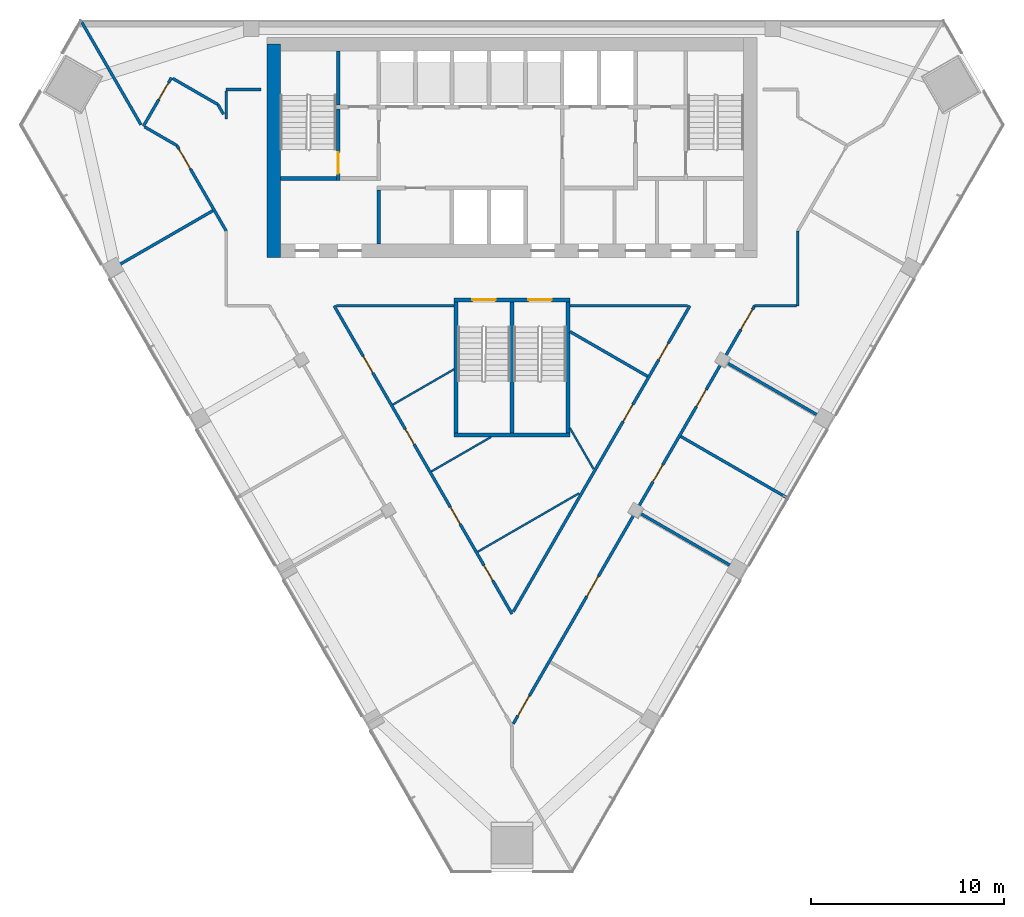
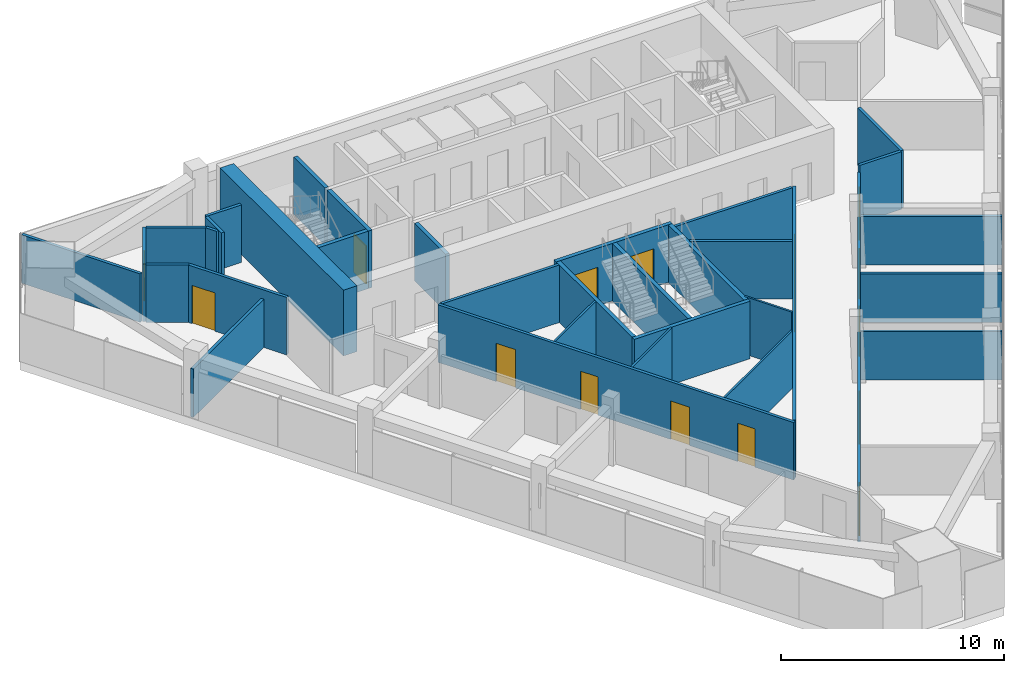
# One storey, part 9 of 13: 34 walls, 16 doors, 16 openings.
"""IFC4 building model written with IfcOpenShell, lengths in metres."""

from ifc_helpers import new_model, si_unit, direction, frame, frame_2d, origin, place, context, subcontext, project, spatial, rectangle, extrude, material, layer, layer_set, type_object, element, fill, save


model = new_model("IFC4")

# Units and contexts
model_context = context("Model", 3, precision=1e-05, world=origin(), true_north=direction((0.0, 1.0)))
body_context = subcontext(model_context, "Body", "Model", "MODEL_VIEW")
ifc_project = project(units=[si_unit("LENGTHUNIT", "METRE"), si_unit("AREAUNIT", "SQUARE_METRE"), si_unit("VOLUMEUNIT", "CUBIC_METRE"), si_unit("PLANEANGLEUNIT", "RADIAN"), si_unit("MASSUNIT", "GRAM", prefix="KILO")], contexts=[model_context])

# Site, building, storey
site_placement = place(None, origin())
site = spatial("IfcSite", under=ifc_project, at=site_placement, CompositionType="ELEMENT")
building_placement = place(site_placement, origin())
building = spatial("IfcBuilding", under=site, at=building_placement, Name="Altiplano Prism Tower", CompositionType="ELEMENT")
storey_placement = place(building_placement, frame((0.0, 0.0, 201.60009765625)))
storey = spatial("IfcBuildingStorey", under=building, at=storey_placement, Name="L52", CompositionType="ELEMENT", Elevation=201.60009765625)

# Walls
ifc_material_1 = material(Name="Concrete C60/75", Category="concrete")
ifc_layer_1 = layer(ifc_material_1, 0.699951171875)
ifc_layer_set_1 = layer_set([ifc_layer_1], Name="Concrete C60/75")
wall_type_1 = type_object("IfcWallType", Name="Core wall 700", PredefinedType="SHEAR", material=ifc_layer_set_1)
wall_1_placement = place(storey_placement, frame((72.64990234375, 103.75, 0.0), z_axis=(0.0, 0.0, 1.0), x_axis=(0.0, -1.0, 0.0)))
element("IfcWall", 1, at=wall_1_placement, inside=storey, type_object=wall_type_1, Name="Core wall W L52", PredefinedType="SHEAR", context=body_context, shape_type="SweptSolid", body=[
    extrude(rectangle(XDim=11.050048828125, YDim=0.699951171875, at=frame_2d((5.52490234375, 0.0))), origin(), (0.0, 0.0, 1.0), 3.599853515625),
])
ifc_material_2 = material(Name="Plasterboard on steel stud", Category="steel")
ifc_layer_2 = layer(ifc_material_2, 0.10009765625)
ifc_layer_set_2 = layer_set([ifc_layer_2], Name="Plasterboard on steel stud")
wall_type_2 = type_object("IfcWallType", Name="Partition 100 wet", PredefinedType="PARTITIONING", material=ifc_layer_set_2)
wall_2_placement = place(storey_placement, frame((80.826171875, 81.620361328125, 0.0), z_axis=(0.0, 0.0, 1.0), x_axis=(0.866026804234, 0.499997574342, 0.0)))
element("IfcWall", 2, at=wall_2_placement, inside=storey, type_object=wall_type_2, Name="Partition P03 L52 022", PredefinedType="PARTITIONING", context=body_context, shape_type="SweptSolid", body=[
    extrude(rectangle(XDim=3.55908203125, YDim=0.10009765625, at=frame_2d((1.779541015625, 0.0))), origin(), (0.0, 0.0, 1.0), 3.14990234375),
])
wall_3_placement = place(storey_placement, frame((82.0, 86.910888671875, 0.0), z_axis=(0.0, 0.0, 1.0), x_axis=(-0.86604792072, -0.499960997496, 0.0)))
element("IfcWall", 3, at=wall_3_placement, inside=storey, type_object=wall_type_2, Name="Partition P03 L52 023", PredefinedType="PARTITIONING", context=body_context, shape_type="SweptSolid", body=[
    extrude(rectangle(XDim=3.661865234375, YDim=0.10009765625, at=frame_2d((1.8310546875, 0.0))), origin(), (0.0, 0.0, 1.0), 3.14990234375),
])
wall_4_placement = place(storey_placement, frame((88.470703125, 80.489013671875, 0.0), z_axis=(0.0, 0.0, 1.0), x_axis=(-0.866031149441, -0.499990048099, 0.0)))
element("IfcWall", 4, at=wall_4_placement, inside=storey, type_object=wall_type_2, Name="Partition P03 L52 024", PredefinedType="PARTITIONING", context=body_context, shape_type="SweptSolid", body=[
    extrude(rectangle(XDim=6.0546875, YDim=0.10009765625, at=frame_2d((3.02734375, 0.0))), origin(), (0.0, 0.0, 1.0), 3.14990234375),
])
wall_5_placement = place(storey_placement, frame((88.0, 83.8671875, 0.0), z_axis=(0.0, 0.0, 1.0), x_axis=(0.500031085528, -0.866007455803, 0.0)))
element("IfcWall", 5, at=wall_5_placement, inside=storey, type_object=wall_type_2, Name="Partition P03 L52 026", PredefinedType="PARTITIONING", context=body_context, shape_type="SweptSolid", body=[
    extrude(rectangle(XDim=2.442138671875, YDim=0.10009765625, at=frame_2d((1.22119140625, 0.0))), origin(), (0.0, 0.0, 1.0), 3.14990234375),
])
ifc_layer_3 = layer(ifc_material_2, 0.14990234375)
ifc_layer_set_3 = layer_set([ifc_layer_3], Name="Plasterboard on steel stud")
wall_type_3 = type_object("IfcWallType", Name="Partition 150 corridor", PredefinedType="PARTITIONING", material=ifc_layer_set_3)
wall_6_placement = place(storey_placement, frame((88.0, 90.198974609375, 0.0), z_axis=(0.0, 0.0, 1.0), x_axis=(1.0, 0.0, 0.0)))
element("IfcWall", 6, at=wall_6_placement, inside=storey, type_object=wall_type_3, Name="Partition P06 L52 001", PredefinedType="PARTITIONING", context=body_context, shape_type="SweptSolid", body=[
    extrude(rectangle(XDim=6.08349609375, YDim=0.14990234375, at=frame_2d((3.041748046875, 0.0))), origin(), (0.0, 0.0, 1.0), 3.14990234375),
])

# Wall, openings, doors
wall_7_placement = place(storey_placement, frame((94.21337890625, 90.198974609375, 0.0), z_axis=(0.0, 0.0, 1.0), x_axis=(-0.500002356557, -0.866024043222, 0.0)))
wall_7 = element("IfcWall", 7, at=wall_7_placement, inside=storey, type_object=wall_type_3, Name="Partition P06 L52 002", PredefinedType="PARTITIONING", context=body_context, shape_type="SweptSolid", body=[
    extrude(rectangle(XDim=18.296875, YDim=0.14990234375, at=frame_2d((9.1484375, 0.0))), origin(), (0.0, 0.0, 1.0), 3.14990234375),
])
opening_1_placement = place(wall_7_placement, frame((2.22900390625, 0.0, 0.0)))
opening_1 = element("IfcOpeningElement", 8, at=opening_1_placement, cuts=wall_7, Name="Opening D1812", PredefinedType="OPENING", context=body_context, shape_type="SweptSolid", body=[
    extrude(rectangle(XDim=1.0, YDim=2.10009765625, at=frame_2d((0.5, 1.050048828125))), frame((0.0, 0.08544921875, 0.0), z_axis=(0.0, -1.0, 0.0), x_axis=(1.0, 0.0, 0.0)), (0.0, 0.0, 1.0), 0.1708984375),
])
opening_2_placement = place(wall_7_placement, frame((5.912109375, 0.0, 0.0)))
opening_2 = element("IfcOpeningElement", 9, at=opening_2_placement, cuts=wall_7, Name="Opening D1813", PredefinedType="OPENING", context=body_context, shape_type="SweptSolid", body=[
    extrude(rectangle(XDim=1.0, YDim=2.10009765625, at=frame_2d((0.5, 1.050048828125))), frame((0.0, 0.08544921875, 0.0), z_axis=(0.0, -1.0, 0.0), x_axis=(1.0, 0.0, 0.0)), (0.0, 0.0, 1.0), 0.1708984375),
])
ifc_material_3 = material(Name="Timber", Category="wood")
door_type_1 = type_object("IfcDoorType", Name="Store door 1000 x 2100", OperationType="NOTDEFINED", PredefinedType="NOTDEFINED", material=ifc_material_3)
door_1_placement = place(opening_1_placement, origin())
door_1 = element("IfcDoor", 10, at=door_1_placement, inside=storey, type_object=door_type_1, Name="Door D1812", OperationType="SINGLE_SWING_RIGHT", OverallHeight=2.10009765625, OverallWidth=1.0, PredefinedType="NOTDEFINED", context=body_context, shape_type="SweptSolid", body=[
    extrude(rectangle(XDim=1.0, YDim=2.10009765625, at=frame_2d((0.5, 1.050048828125))), frame((0.0, 0.02490234375, 0.0), z_axis=(0.0, -1.0, 0.0), x_axis=(1.0, 0.0, 0.0)), (0.0, 0.0, 1.0), 0.050048828125),
])
fill(opening_1, door_1)
door_2_placement = place(opening_2_placement, origin())
door_2 = element("IfcDoor", 11, at=door_2_placement, inside=storey, type_object=door_type_1, Name="Door D1813", OperationType="SINGLE_SWING_RIGHT", OverallHeight=2.10009765625, OverallWidth=1.0, PredefinedType="NOTDEFINED", context=body_context, shape_type="SweptSolid", body=[
    extrude(rectangle(XDim=1.0, YDim=2.10009765625, at=frame_2d((0.5, 1.050048828125))), frame((0.0, 0.02490234375, 0.0), z_axis=(0.0, -1.0, 0.0), x_axis=(1.0, 0.0, 0.0)), (0.0, 0.0, 1.0), 0.050048828125),
])
fill(opening_2, door_2)

# Wall
wall_8_placement = place(storey_placement, frame((65.976318359375, 99.462890625, 0.0), z_axis=(0.0, 0.0, 1.0), x_axis=(0.86605048973, -0.49995654735, 0.0)))
element("IfcWall", 12, at=wall_8_placement, inside=storey, type_object=wall_type_3, Name="Partition P06 L52 003", PredefinedType="PARTITIONING", context=body_context, shape_type="SweptSolid", body=[
    extrude(rectangle(XDim=1.926025390625, YDim=0.14990234375, at=frame_2d((0.962890625, 0.0))), origin(), (0.0, 0.0, 1.0), 3.14990234375),
])

# Wall, opening, door
wall_9_placement = place(storey_placement, frame((67.644287109375, 98.5, 0.0), z_axis=(0.0, 0.0, 1.0), x_axis=(0.499981548585, -0.866036056452, 0.0)))
wall_9 = element("IfcWall", 13, at=wall_9_placement, inside=storey, type_object=wall_type_3, Name="Partition P06 L52 004", PredefinedType="PARTITIONING", context=body_context, shape_type="SweptSolid", body=[
    extrude(rectangle(XDim=5.111572265625, YDim=0.14990234375, at=frame_2d((2.5556640625, 0.0))), origin(), (0.0, 0.0, 1.0), 3.14990234375),
])
opening_3_placement = place(wall_9_placement, frame((0.199951171875, 0.0, 0.0)))
opening_3 = element("IfcOpeningElement", 14, at=opening_3_placement, cuts=wall_9, Name="Opening D1814", PredefinedType="OPENING", context=body_context, shape_type="SweptSolid", body=[
    extrude(rectangle(XDim=1.199951171875, YDim=2.10009765625, at=frame_2d((0.60009765625, 1.050048828125))), frame((0.0, 0.08544921875, 0.0), z_axis=(0.0, -1.0, 0.0), x_axis=(1.0, 0.0, 0.0)), (0.0, 0.0, 1.0), 0.1708984375),
])
door_type_2 = type_object("IfcDoorType", Name="Shared room door 1200 x 2100", OperationType="NOTDEFINED", PredefinedType="NOTDEFINED", material=ifc_material_3)
door_3_placement = place(opening_3_placement, origin())
door_3 = element("IfcDoor", 15, at=door_3_placement, inside=storey, type_object=door_type_2, Name="Door D1814", OperationType="SINGLE_SWING_LEFT", OverallHeight=2.10009765625, OverallWidth=1.199951171875, PredefinedType="NOTDEFINED", context=body_context, shape_type="SweptSolid", body=[
    extrude(rectangle(XDim=1.199951171875, YDim=2.10009765625, at=frame_2d((0.60009765625, 1.050048828125))), frame((0.0, 0.02490234375, 0.0), z_axis=(0.0, -1.0, 0.0), x_axis=(1.0, 0.0, 0.0)), (0.0, 0.0, 1.0), 0.050048828125),
])
fill(opening_3, door_3)

# Wall, openings, doors
wall_10_placement = place(storey_placement, frame((85.06494140625, 68.551513671875, 0.0), z_axis=(0.0, 0.0, 1.0), x_axis=(0.500001442506, 0.866024570952, 0.0)))
wall_10 = element("IfcWall", 16, at=wall_10_placement, inside=storey, type_object=wall_type_3, Name="Partition P06 L52 008", PredefinedType="PARTITIONING", context=body_context, shape_type="SweptSolid", body=[
    extrude(rectangle(XDim=24.99755859375, YDim=0.14990234375, at=frame_2d((12.498779296875, 0.0))), origin(), (0.0, 0.0, 1.0), 2.75),
])
opening_4_placement = place(wall_10_placement, frame((0.47607421875, 0.0, 0.0)))
opening_4 = element("IfcOpeningElement", 17, at=opening_4_placement, cuts=wall_10, Name="Opening D1819", PredefinedType="OPENING", context=body_context, shape_type="SweptSolid", body=[
    extrude(rectangle(XDim=1.199951171875, YDim=2.10009765625, at=frame_2d((0.60009765625, 1.050048828125))), frame((0.0, 0.08544921875, 0.0), z_axis=(0.0, -1.0, 0.0), x_axis=(1.0, 0.0, 0.0)), (0.0, 0.0, 1.0), 0.1708984375),
])
opening_5_placement = place(wall_10_placement, frame((7.6259765625, 0.0, 0.0)))
opening_5 = element("IfcOpeningElement", 18, at=opening_5_placement, cuts=wall_10, Name="Opening D1820", PredefinedType="OPENING", context=body_context, shape_type="SweptSolid", body=[
    extrude(rectangle(XDim=1.199951171875, YDim=2.10009765625, at=frame_2d((0.60009765625, 1.050048828125))), frame((0.0, 0.08544921875, 0.0), z_axis=(0.0, -1.0, 0.0), x_axis=(1.0, 0.0, 0.0)), (0.0, 0.0, 1.0), 0.1708984375),
])
opening_6_placement = place(wall_10_placement, frame((14.47607421875, 0.0, 0.0)))
opening_6 = element("IfcOpeningElement", 19, at=opening_6_placement, cuts=wall_10, Name="Opening D1821", PredefinedType="OPENING", context=body_context, shape_type="SweptSolid", body=[
    extrude(rectangle(XDim=1.0, YDim=2.10009765625, at=frame_2d((0.5, 1.050048828125))), frame((0.0, 0.08544921875, 0.0), z_axis=(0.0, -1.0, 0.0), x_axis=(1.0, 0.0, 0.0)), (0.0, 0.0, 1.0), 0.1708984375),
])
opening_7_placement = place(wall_10_placement, frame((18.97607421875, 0.0, 0.0)))
opening_7 = element("IfcOpeningElement", 20, at=opening_7_placement, cuts=wall_10, Name="Opening D1822", PredefinedType="OPENING", context=body_context, shape_type="SweptSolid", body=[
    extrude(rectangle(XDim=1.0, YDim=2.10009765625, at=frame_2d((0.5, 1.050048828125))), frame((0.0, 0.08544921875, 0.0), z_axis=(0.0, -1.0, 0.0), x_axis=(1.0, 0.0, 0.0)), (0.0, 0.0, 1.0), 0.1708984375),
])
opening_8_placement = place(wall_10_placement, frame((23.574951171875, 0.0, 0.0)))
opening_8 = element("IfcOpeningElement", 21, at=opening_8_placement, cuts=wall_10, Name="Opening D1823", PredefinedType="OPENING", context=body_context, shape_type="SweptSolid", body=[
    extrude(rectangle(XDim=1.199951171875, YDim=2.10009765625, at=frame_2d((0.60009765625, 1.050048828125))), frame((0.0, 0.08544921875, 0.0), z_axis=(0.0, -1.0, 0.0), x_axis=(1.0, 0.0, 0.0)), (0.0, 0.0, 1.0), 0.1708984375),
])
door_type_3 = type_object("IfcDoorType", Name="Room door 1000 x 2100", OperationType="NOTDEFINED", PredefinedType="NOTDEFINED", material=ifc_material_3)
door_4_placement = place(opening_6_placement, origin())
door_4 = element("IfcDoor", 22, at=door_4_placement, inside=storey, type_object=door_type_3, Name="Door D1821", OperationType="SINGLE_SWING_LEFT", OverallHeight=2.10009765625, OverallWidth=1.0, PredefinedType="NOTDEFINED", context=body_context, shape_type="SweptSolid", body=[
    extrude(rectangle(XDim=1.0, YDim=2.10009765625, at=frame_2d((0.5, 1.050048828125))), frame((0.0, 0.02490234375, 0.0), z_axis=(0.0, -1.0, 0.0), x_axis=(1.0, 0.0, 0.0)), (0.0, 0.0, 1.0), 0.050048828125),
])
fill(opening_6, door_4)
door_5_placement = place(opening_7_placement, origin())
door_5 = element("IfcDoor", 23, at=door_5_placement, inside=storey, type_object=door_type_3, Name="Door D1822", OperationType="SINGLE_SWING_RIGHT", OverallHeight=2.10009765625, OverallWidth=1.0, PredefinedType="NOTDEFINED", context=body_context, shape_type="SweptSolid", body=[
    extrude(rectangle(XDim=1.0, YDim=2.10009765625, at=frame_2d((0.5, 1.050048828125))), frame((0.0, 0.02490234375, 0.0), z_axis=(0.0, -1.0, 0.0), x_axis=(1.0, 0.0, 0.0)), (0.0, 0.0, 1.0), 0.050048828125),
])
fill(opening_7, door_5)
door_6_placement = place(opening_4_placement, origin())
door_6 = element("IfcDoor", 24, at=door_6_placement, inside=storey, type_object=door_type_2, Name="Door D1819", OperationType="SINGLE_SWING_RIGHT", OverallHeight=2.10009765625, OverallWidth=1.199951171875, PredefinedType="NOTDEFINED", context=body_context, shape_type="SweptSolid", body=[
    extrude(rectangle(XDim=1.199951171875, YDim=2.10009765625, at=frame_2d((0.60009765625, 1.050048828125))), frame((0.0, 0.02490234375, 0.0), z_axis=(0.0, -1.0, 0.0), x_axis=(1.0, 0.0, 0.0)), (0.0, 0.0, 1.0), 0.050048828125),
])
fill(opening_4, door_6)
door_7_placement = place(opening_5_placement, origin())
door_7 = element("IfcDoor", 25, at=door_7_placement, inside=storey, type_object=door_type_2, Name="Door D1820", OperationType="SINGLE_SWING_RIGHT", OverallHeight=2.10009765625, OverallWidth=1.199951171875, PredefinedType="NOTDEFINED", context=body_context, shape_type="SweptSolid", body=[
    extrude(rectangle(XDim=1.199951171875, YDim=2.10009765625, at=frame_2d((0.60009765625, 1.050048828125))), frame((0.0, 0.02490234375, 0.0), z_axis=(0.0, -1.0, 0.0), x_axis=(1.0, 0.0, 0.0)), (0.0, 0.0, 1.0), 0.050048828125),
])
fill(opening_5, door_7)
door_8_placement = place(opening_8_placement, origin())
door_8 = element("IfcDoor", 26, at=door_8_placement, inside=storey, type_object=door_type_2, Name="Door D1823", OperationType="SINGLE_SWING_RIGHT", OverallHeight=2.10009765625, OverallWidth=1.199951171875, PredefinedType="NOTDEFINED", context=body_context, shape_type="SweptSolid", body=[
    extrude(rectangle(XDim=1.199951171875, YDim=2.10009765625, at=frame_2d((0.60009765625, 1.050048828125))), frame((0.0, 0.02490234375, 0.0), z_axis=(0.0, -1.0, 0.0), x_axis=(1.0, 0.0, 0.0)), (0.0, 0.0, 1.0), 0.050048828125),
])
fill(opening_8, door_8)

# Walls
wall_11_placement = place(storey_placement, frame((97.563720703125, 90.199951171875, 0.0), z_axis=(0.0, 0.0, 1.0), x_axis=(0.999999974476, 0.000225937635, 0.0)))
element("IfcWall", 27, at=wall_11_placement, inside=storey, type_object=wall_type_3, Name="Partition P06 L52 009", PredefinedType="PARTITIONING", context=body_context, shape_type="SweptSolid", body=[
    extrude(rectangle(XDim=2.1611328125, YDim=0.14990234375, at=frame_2d((1.08056640625, 0.0))), origin(), (0.0, 0.0, 1.0), 3.14990234375),
])
wall_12_placement = place(storey_placement, frame((99.7998046875, 90.200439453125, 0.0), z_axis=(0.0, 0.0, 1.0), x_axis=(6.3039778e-05, 0.999999998013, 0.0)))
element("IfcWall", 28, at=wall_12_placement, inside=storey, type_object=wall_type_3, Name="Partition P06 L52 010", PredefinedType="PARTITIONING", context=body_context, shape_type="SweptSolid", body=[
    extrude(rectangle(XDim=3.872802734375, YDim=0.14990234375, at=frame_2d((1.9365234375, 0.0))), origin(), (0.0, 0.0, 1.0), 3.14990234375),
])
wall_13_placement = place(storey_placement, frame((72.0, 101.40087890625, 0.0), z_axis=(0.0, 0.0, 1.0), x_axis=(-1.0, 0.0, 0.0)))
element("IfcWall", 29, at=wall_13_placement, inside=storey, type_object=wall_type_3, Name="Partition P06 L52 015", PredefinedType="PARTITIONING", context=body_context, shape_type="SweptSolid", body=[
    extrude(rectangle(XDim=1.800537109375, YDim=0.14990234375, at=frame_2d((0.900390625, 0.0))), origin(), (0.0, 0.0, 1.0), 3.14990234375),
])
wall_14_placement = place(storey_placement, frame((70.199462890625, 101.32568359375, 0.0), z_axis=(0.0, 0.0, 1.0), x_axis=(-0.000337040763, -0.999999943202, 0.0)))
element("IfcWall", 30, at=wall_14_placement, inside=storey, type_object=wall_type_3, Name="Partition P06 L52 016", PredefinedType="PARTITIONING", context=body_context, shape_type="SweptSolid", body=[
    extrude(rectangle(XDim=1.44873046875, YDim=0.14990234375, at=frame_2d((0.724365234375, 0.0))), origin(), (0.0, 0.0, 1.0), 3.14990234375),
])
wall_15_placement = place(storey_placement, frame((70.05908203125, 100.119384765625, 0.0), z_axis=(0.0, 0.0, 1.0), x_axis=(-0.500061095026, 0.865990127681, 0.0)))
element("IfcWall", 31, at=wall_15_placement, inside=storey, type_object=wall_type_3, Name="Partition P06 L52 017", PredefinedType="PARTITIONING", context=body_context, shape_type="SweptSolid", body=[
    extrude(rectangle(XDim=0.58251953125, YDim=0.14990234375, at=frame_2d((0.291259765625, 0.0))), origin(), (0.0, 0.0, 1.0), 3.14990234375),
])
wall_16_placement = place(storey_placement, frame((69.767822265625, 100.623779296875, 0.0), z_axis=(0.0, 0.0, 1.0), x_axis=(-0.866089324335, 0.499889270012, 0.0)))
element("IfcWall", 32, at=wall_16_placement, inside=storey, type_object=wall_type_3, Name="Partition P06 L52 018", PredefinedType="PARTITIONING", context=body_context, shape_type="SweptSolid", body=[
    extrude(rectangle(XDim=2.70263671875, YDim=0.14990234375, at=frame_2d((1.351318359375, 0.0))), origin(), (0.0, 0.0, 1.0), 3.14990234375),
])

# Wall, opening, door
wall_17_placement = place(storey_placement, frame((67.362060546875, 102.012451171875, 0.0), z_axis=(0.0, 0.0, 1.0), x_axis=(-0.500103712827, -0.865965516875, 0.0)))
wall_17 = element("IfcWall", 33, at=wall_17_placement, inside=storey, type_object=wall_type_3, Name="Partition P06 L52 019", PredefinedType="PARTITIONING", context=body_context, shape_type="SweptSolid", body=[
    extrude(rectangle(XDim=2.90087890625, YDim=0.14990234375, at=frame_2d((1.450439453125, 0.0))), origin(), (0.0, 0.0, 1.0), 3.14990234375),
])
opening_9_placement = place(wall_17_placement, frame((0.304931640625, 0.0, 0.0)))
opening_9 = element("IfcOpeningElement", 34, at=opening_9_placement, cuts=wall_17, Name="Opening D1826", PredefinedType="OPENING", context=body_context, shape_type="SweptSolid", body=[
    extrude(rectangle(XDim=1.0, YDim=2.10009765625, at=frame_2d((0.5, 1.050048828125))), frame((0.0, 0.08544921875, 0.0), z_axis=(0.0, -1.0, 0.0), x_axis=(1.0, 0.0, 0.0)), (0.0, 0.0, 1.0), 0.1708984375),
])
door_9_placement = place(opening_9_placement, origin())
door_9 = element("IfcDoor", 35, at=door_9_placement, inside=storey, type_object=door_type_1, Name="Door D1826", OperationType="SINGLE_SWING_LEFT", OverallHeight=2.10009765625, OverallWidth=1.0, PredefinedType="NOTDEFINED", context=body_context, shape_type="SweptSolid", body=[
    extrude(rectangle(XDim=1.0, YDim=2.10009765625, at=frame_2d((0.5, 1.050048828125))), frame((0.0, 0.02490234375, 0.0), z_axis=(0.0, -1.0, 0.0), x_axis=(1.0, 0.0, 0.0)), (0.0, 0.0, 1.0), 0.050048828125),
])
fill(opening_9, door_9)

# Wall, openings, doors
wall_18_placement = place(storey_placement, frame((85.0, 74.240966796875, 0.0), z_axis=(0.0, 0.0, 1.0), x_axis=(-0.500000765191, 0.866024962, 0.0)))
wall_18 = element("IfcWall", 36, at=wall_18_placement, inside=storey, type_object=wall_type_3, Name="Partition P06 L52 020", PredefinedType="PARTITIONING", context=body_context, shape_type="SweptSolid", body=[
    extrude(rectangle(XDim=18.4267578125, YDim=0.14990234375, at=frame_2d((9.21337890625, 0.0))), origin(), (0.0, 0.0, 1.0), 3.14990234375),
])
opening_10_placement = place(wall_18_placement, frame((10.139892578125, 0.0, 0.0)))
opening_10 = element("IfcOpeningElement", 37, at=opening_10_placement, cuts=wall_18, Name="Opening D1810", PredefinedType="OPENING", context=body_context, shape_type="SweptSolid", body=[
    extrude(rectangle(XDim=0.89990234375, YDim=2.10009765625, at=frame_2d((0.449951171875, 1.050048828125))), frame((0.0, 0.08544921875, 0.0), z_axis=(0.0, -1.0, 0.0), x_axis=(1.0, 0.0, 0.0)), (0.0, 0.0, 1.0), 0.1708984375),
])
opening_11_placement = place(wall_18_placement, frame((2.0, 0.0, 0.0)))
opening_11 = element("IfcOpeningElement", 38, at=opening_11_placement, cuts=wall_18, Name="Opening D1811", PredefinedType="OPENING", context=body_context, shape_type="SweptSolid", body=[
    extrude(rectangle(XDim=0.89990234375, YDim=2.10009765625, at=frame_2d((0.449951171875, 1.050048828125))), frame((0.0, 0.08544921875, 0.0), z_axis=(0.0, -1.0, 0.0), x_axis=(1.0, 0.0, 0.0)), (0.0, 0.0, 1.0), 0.1708984375),
])
opening_12_placement = place(wall_18_placement, frame((5.37890625, 0.0, 0.0)))
opening_12 = element("IfcOpeningElement", 39, at=opening_12_placement, cuts=wall_18, Name="Opening D1827", PredefinedType="OPENING", context=body_context, shape_type="SweptSolid", body=[
    extrude(rectangle(XDim=1.0, YDim=2.10009765625, at=frame_2d((0.5, 1.050048828125))), frame((0.0, 0.08544921875, 0.0), z_axis=(0.0, -1.0, 0.0), x_axis=(1.0, 0.0, 0.0)), (0.0, 0.0, 1.0), 0.1708984375),
])
opening_13_placement = place(wall_18_placement, frame((14.412109375, 0.0, 0.0)))
opening_13 = element("IfcOpeningElement", 40, at=opening_13_placement, cuts=wall_18, Name="Opening D1828", PredefinedType="OPENING", context=body_context, shape_type="SweptSolid", body=[
    extrude(rectangle(XDim=1.0, YDim=2.10009765625, at=frame_2d((0.5, 1.050048828125))), frame((0.0, 0.08544921875, 0.0), z_axis=(0.0, -1.0, 0.0), x_axis=(1.0, 0.0, 0.0)), (0.0, 0.0, 1.0), 0.1708984375),
])
door_10_placement = place(opening_12_placement, origin())
door_10 = element("IfcDoor", 41, at=door_10_placement, inside=storey, type_object=door_type_3, Name="Door D1827", OperationType="SINGLE_SWING_LEFT", OverallHeight=2.10009765625, OverallWidth=1.0, PredefinedType="NOTDEFINED", context=body_context, shape_type="SweptSolid", body=[
    extrude(rectangle(XDim=1.0, YDim=2.10009765625, at=frame_2d((0.5, 1.050048828125))), frame((0.0, 0.02490234375, 0.0), z_axis=(0.0, -1.0, 0.0), x_axis=(1.0, 0.0, 0.0)), (0.0, 0.0, 1.0), 0.050048828125),
])
fill(opening_12, door_10)
door_11_placement = place(opening_13_placement, origin())
door_11 = element("IfcDoor", 42, at=door_11_placement, inside=storey, type_object=door_type_1, Name="Door D1828", OperationType="SINGLE_SWING_RIGHT", OverallHeight=2.10009765625, OverallWidth=1.0, PredefinedType="NOTDEFINED", context=body_context, shape_type="SweptSolid", body=[
    extrude(rectangle(XDim=1.0, YDim=2.10009765625, at=frame_2d((0.5, 1.050048828125))), frame((0.0, 0.02490234375, 0.0), z_axis=(0.0, -1.0, 0.0), x_axis=(1.0, 0.0, 0.0)), (0.0, 0.0, 1.0), 0.050048828125),
])
fill(opening_13, door_11)
door_type_4 = type_object("IfcDoorType", Name="Toilet door 900 x 2100", OperationType="NOTDEFINED", PredefinedType="NOTDEFINED", material=ifc_material_3)
door_12_placement = place(opening_10_placement, origin())
door_12 = element("IfcDoor", 43, at=door_12_placement, inside=storey, type_object=door_type_4, Name="Door D1810", OperationType="SINGLE_SWING_LEFT", OverallHeight=2.10009765625, OverallWidth=0.89990234375, PredefinedType="NOTDEFINED", context=body_context, shape_type="SweptSolid", body=[
    extrude(rectangle(XDim=0.89990234375, YDim=2.10009765625, at=frame_2d((0.449951171875, 1.050048828125))), frame((0.0, 0.02490234375, 0.0), z_axis=(0.0, -1.0, 0.0), x_axis=(1.0, 0.0, 0.0)), (0.0, 0.0, 1.0), 0.050048828125),
])
fill(opening_10, door_12)
door_13_placement = place(opening_11_placement, origin())
door_13 = element("IfcDoor", 44, at=door_13_placement, inside=storey, type_object=door_type_4, Name="Door D1811", OperationType="SINGLE_SWING_LEFT", OverallHeight=2.10009765625, OverallWidth=0.89990234375, PredefinedType="NOTDEFINED", context=body_context, shape_type="SweptSolid", body=[
    extrude(rectangle(XDim=0.89990234375, YDim=2.10009765625, at=frame_2d((0.449951171875, 1.050048828125))), frame((0.0, 0.02490234375, 0.0), z_axis=(0.0, -1.0, 0.0), x_axis=(1.0, 0.0, 0.0)), (0.0, 0.0, 1.0), 0.050048828125),
])
fill(opening_11, door_13)

# Walls
wall_19_placement = place(storey_placement, frame((75.91650390625, 90.198974609375, 0.0), z_axis=(0.0, 0.0, 1.0), x_axis=(1.0, 0.0, 0.0)))
element("IfcWall", 45, at=wall_19_placement, inside=storey, type_object=wall_type_3, Name="Partition P06 L52 021", PredefinedType="PARTITIONING", context=body_context, shape_type="SweptSolid", body=[
    extrude(rectangle(XDim=6.08349609375, YDim=0.14990234375, at=frame_2d((3.041748046875, 0.0))), origin(), (0.0, 0.0, 1.0), 3.14990234375),
])
ifc_layer_4 = layer(ifc_material_2, 0.14990234375)
ifc_layer_set_4 = layer_set([ifc_layer_4], Name="Plasterboard on steel stud")
wall_type_4 = type_object("IfcWallType", Name="Partition 150 party", PredefinedType="PARTITIONING", material=ifc_layer_set_4)
wall_20_placement = place(storey_placement, frame((88.0, 88.864501953125, 0.0), z_axis=(0.0, 0.0, 1.0), x_axis=(0.866019052629, -0.500011000363, 0.0)))
element("IfcWall", 46, at=wall_20_placement, inside=storey, type_object=wall_type_4, Name="Partition P01 L52 025", PredefinedType="PARTITIONING", context=body_context, shape_type="SweptSolid", body=[
    extrude(rectangle(XDim=4.638671875, YDim=0.14990234375, at=frame_2d((2.3193359375, 0.0))), origin(), (0.0, 0.0, 1.0), 3.14990234375),
])
wall_21_placement = place(storey_placement, frame((64.029541015625, 91.9609375, 0.0), z_axis=(0.0, 0.0, 1.0), x_axis=(0.866032601554, 0.49998753289, 0.0)))
element("IfcWall", 47, at=wall_21_placement, inside=storey, type_object=wall_type_4, Name="Partition P01 L52 027", PredefinedType="PARTITIONING", context=body_context, shape_type="SweptSolid", body=[
    extrude(rectangle(XDim=6.324951171875, YDim=0.14990234375, at=frame_2d((3.16259765625, 0.0))), origin(), (0.0, 0.0, 1.0), 2.64990234375),
])
wall_22_placement = place(storey_placement, frame((65.786376953125, 99.57275390625, 0.0), z_axis=(0.0, 0.0, 1.0), x_axis=(-0.500006463187, 0.866021672229, 0.0)))
element("IfcWall", 48, at=wall_22_placement, inside=storey, type_object=wall_type_4, Name="Partition P01 L52 028", PredefinedType="PARTITIONING", context=body_context, shape_type="SweptSolid", body=[
    extrude(rectangle(XDim=6.1513671875, YDim=0.14990234375, at=frame_2d((3.07568359375, 0.0))), origin(), (0.0, 0.0, 1.0), 2.64990234375),
])
for number, where, z_axis, x_axis, name in (
    (49, (96.970458984375, 76.372314453125, 0.0), (0.0, 0.0, 1.0), (-0.866015887322, 0.500016482634, 0.0), "Partition P01 L52 035"),
    (50, (99.220458984375, 80.26953125, 0.0), (0.0, 0.0, 1.0), (-0.866032601554, 0.49998753289, 0.0), "Partition P01 L52 036"),
    (51, (101.470458984375, 84.16650390625, 0.0), (0.0, 0.0, 1.0), (-0.866015887322, 0.500016482634, 0.0), "Partition P01 L52 037"),
):
    element("IfcWall", number, at=place(storey_placement, frame(where, z_axis=z_axis, x_axis=x_axis)), inside=storey, type_object=wall_type_4, Name=name, PredefinedType="PARTITIONING", context=body_context, shape_type="SweptSolid", body=[
        extrude(rectangle(XDim=6.324951171875, YDim=0.14990234375, at=frame_2d((3.16259765625, 0.0))), origin(), (0.0, 0.0, 1.0), 2.64990234375),
    ])
ifc_layer_5 = layer(ifc_material_1, 0.199951171875)
ifc_layer_set_5 = layer_set([ifc_layer_5], Name="Concrete C60/75")
wall_type_5 = type_object("IfcWallType", Name="Stair wall 200", PredefinedType="SOLIDWALL", material=ifc_layer_set_5)
wall_23_placement = place(storey_placement, frame((73.0, 96.800048828125, 0.0), z_axis=(0.0, 0.0, 1.0), x_axis=(1.0, 0.0, 0.0)))
element("IfcWall", 52, at=wall_23_placement, inside=storey, type_object=wall_type_5, Name="Stair wall L52", PredefinedType="SOLIDWALL", context=body_context, shape_type="SweptSolid", body=[
    extrude(rectangle(XDim=2.89990234375, YDim=0.199951171875, at=frame_2d((1.449951171875, 0.0))), origin(), (0.0, 0.0, 1.0), 3.14990234375),
])

# Wall, opening, door
wall_24_placement = place(storey_placement, frame((76.0, 96.699951171875, 0.0), z_axis=(0.0, 0.0, 1.0), x_axis=(0.0, 1.0, 0.0)))
wall_24 = element("IfcWall", 53, at=wall_24_placement, inside=storey, type_object=wall_type_5, Name="Stair wall L52", PredefinedType="SOLIDWALL", context=body_context, shape_type="SweptSolid", body=[
    extrude(rectangle(XDim=3.699951171875, YDim=0.199951171875, at=frame_2d((1.85009765625, 0.0))), origin(), (0.0, 0.0, 1.0), 3.14990234375),
])
opening_14_placement = place(wall_24_placement, frame((0.35009765625, 0.0, 0.0)))
opening_14 = element("IfcOpeningElement", 54, at=opening_14_placement, cuts=wall_24, Name="Opening D3297", PredefinedType="OPENING", context=body_context, shape_type="SweptSolid", body=[
    extrude(rectangle(XDim=1.10009765625, YDim=2.10009765625, at=frame_2d((0.550048828125, 1.050048828125))), frame((0.0, 0.1103515625, 0.0), z_axis=(0.0, -1.0, 0.0), x_axis=(1.0, 0.0, 0.0)), (0.0, 0.0, 1.0), 0.220947265625),
])
ifc_material_4 = material(Name="Fire-rated steel door", Category="steel")
door_type_5 = type_object("IfcDoorType", Name="Stair fire door 1100 x 2100", OperationType="NOTDEFINED", PredefinedType="NOTDEFINED", material=ifc_material_4)
door_14_placement = place(opening_14_placement, origin())
door_14 = element("IfcDoor", 55, at=door_14_placement, inside=storey, type_object=door_type_5, Name="Stair fire door D3297", OperationType="SINGLE_SWING_RIGHT", OverallHeight=2.10009765625, OverallWidth=1.10009765625, PredefinedType="NOTDEFINED", context=body_context, shape_type="SweptSolid", body=[
    extrude(rectangle(XDim=1.10009765625, YDim=2.10009765625, at=frame_2d((0.550048828125, 1.050048828125))), frame((0.0, 0.02490234375, 0.0), z_axis=(0.0, -1.0, 0.0), x_axis=(1.0, 0.0, 0.0)), (0.0, 0.0, 1.0), 0.050048828125),
])
fill(opening_14, door_14)

# Wall
wall_25_placement = place(storey_placement, frame((76.0, 100.60009765625, 0.0), z_axis=(0.0, 0.0, 1.0), x_axis=(0.0, 1.0, 0.0)))
element("IfcWall", 56, at=wall_25_placement, inside=storey, type_object=wall_type_5, Name="Stair wall L52", PredefinedType="SOLIDWALL", context=body_context, shape_type="SweptSolid", body=[
    extrude(rectangle(XDim=2.7998046875, YDim=0.199951171875, at=frame_2d((1.39990234375, 0.0))), origin(), (0.0, 0.0, 1.0), 3.14990234375),
])

# Wall, openings, doors
wall_26_placement = place(storey_placement, frame((82.0, 90.5, 0.0), z_axis=(0.0, 0.0, 1.0), x_axis=(1.0, 0.0, 0.0)))
wall_26 = element("IfcWall", 57, at=wall_26_placement, inside=storey, type_object=wall_type_5, Name="Stair 3 wall north L52", PredefinedType="SOLIDWALL", context=body_context, shape_type="SweptSolid", body=[
    extrude(rectangle(XDim=6.0, YDim=0.199951171875, at=frame_2d((3.0, 0.0))), origin(), (0.0, 0.0, 1.0), 3.14990234375),
])
opening_15_placement = place(wall_26_placement, frame((0.949951171875, 0.0, 0.0)))
opening_15 = element("IfcOpeningElement", 58, at=opening_15_placement, cuts=wall_26, Name="Opening D4026", PredefinedType="OPENING", context=body_context, shape_type="SweptSolid", body=[
    extrude(rectangle(XDim=1.199951171875, YDim=2.10009765625, at=frame_2d((0.60009765625, 1.050048828125))), frame((0.0, 0.1103515625, 0.0), z_axis=(0.0, -1.0, 0.0), x_axis=(1.0, 0.0, 0.0)), (0.0, 0.0, 1.0), 0.220947265625),
])
opening_16_placement = place(wall_26_placement, frame((3.85009765625, 0.0, 0.0)))
opening_16 = element("IfcOpeningElement", 59, at=opening_16_placement, cuts=wall_26, Name="Opening D4027", PredefinedType="OPENING", context=body_context, shape_type="SweptSolid", body=[
    extrude(rectangle(XDim=1.199951171875, YDim=2.10009765625, at=frame_2d((0.60009765625, 1.050048828125))), frame((0.0, 0.1103515625, 0.0), z_axis=(0.0, -1.0, 0.0), x_axis=(1.0, 0.0, 0.0)), (0.0, 0.0, 1.0), 0.220947265625),
])
door_type_6 = type_object("IfcDoorType", Name="Stair fire door 1200 x 2100", OperationType="NOTDEFINED", PredefinedType="NOTDEFINED", material=ifc_material_4)
door_15_placement = place(opening_15_placement, origin())
door_15 = element("IfcDoor", 60, at=door_15_placement, inside=storey, type_object=door_type_6, Name="Stair fire door D4026", OperationType="SINGLE_SWING_LEFT", OverallHeight=2.10009765625, OverallWidth=1.199951171875, PredefinedType="NOTDEFINED", context=body_context, shape_type="SweptSolid", body=[
    extrude(rectangle(XDim=1.199951171875, YDim=2.10009765625, at=frame_2d((0.60009765625, 1.050048828125))), frame((0.0, 0.02490234375, 0.0), z_axis=(0.0, -1.0, 0.0), x_axis=(1.0, 0.0, 0.0)), (0.0, 0.0, 1.0), 0.050048828125),
])
fill(opening_15, door_15)
door_16_placement = place(opening_16_placement, origin())
door_16 = element("IfcDoor", 61, at=door_16_placement, inside=storey, type_object=door_type_6, Name="Stair fire door D4027", OperationType="SINGLE_SWING_LEFT", OverallHeight=2.10009765625, OverallWidth=1.199951171875, PredefinedType="NOTDEFINED", context=body_context, shape_type="SweptSolid", body=[
    extrude(rectangle(XDim=1.199951171875, YDim=2.10009765625, at=frame_2d((0.60009765625, 1.050048828125))), frame((0.0, 0.02490234375, 0.0), z_axis=(0.0, -1.0, 0.0), x_axis=(1.0, 0.0, 0.0)), (0.0, 0.0, 1.0), 0.050048828125),
])
fill(opening_16, door_16)

# Walls
wall_27_placement = place(storey_placement, frame((82.0, 83.5, 0.0), z_axis=(0.0, 0.0, 1.0), x_axis=(1.0, 0.0, 0.0)))
element("IfcWall", 62, at=wall_27_placement, inside=storey, type_object=wall_type_5, Name="Stair 3 wall south L52", PredefinedType="SOLIDWALL", context=body_context, shape_type="SweptSolid", body=[
    extrude(rectangle(XDim=6.0, YDim=0.199951171875, at=frame_2d((3.0, 0.0))), origin(), (0.0, 0.0, 1.0), 3.14990234375),
])
for number, where, z_axis, x_axis, name in (
    (63, (82.10009765625, 83.60009765625, 0.0), (0.0, 0.0, 1.0), (0.0, 1.0, 0.0), "Stair 3 wall west L52"),
    (64, (87.89990234375, 83.60009765625, 0.0), (0.0, 0.0, 1.0), (0.0, 1.0, 0.0), "Stair 3 wall east L52"),
    (65, (85.0, 83.60009765625, 0.0), (0.0, 0.0, 1.0), (0.0, 1.0, 0.0), "Stair 3 wall divider L52"),
):
    element("IfcWall", number, at=place(storey_placement, frame(where, z_axis=z_axis, x_axis=x_axis)), inside=storey, type_object=wall_type_5, Name=name, PredefinedType="SOLIDWALL", context=body_context, shape_type="SweptSolid", body=[
        extrude(rectangle(XDim=6.7998046875, YDim=0.199951171875, at=frame_2d((3.39990234375, 0.0))), origin(), (0.0, 0.0, 1.0), 3.14990234375),
    ])
ifc_layer_6 = layer(ifc_material_1, 0.199951171875)
ifc_layer_set_6 = layer_set([ifc_layer_6], Name="Concrete C60/75")
wall_type_6 = type_object("IfcWallType", Name="Vestibule wall 200", PredefinedType="PARTITIONING", material=ifc_layer_set_6)
wall_28_placement = place(storey_placement, frame((78.10009765625, 93.39990234375, 0.0), z_axis=(0.0, 0.0, 1.0), x_axis=(0.0, 1.0, 0.0)))
element("IfcWall", 66, at=wall_28_placement, inside=storey, type_object=wall_type_6, Name="Vestibule wall L52", PredefinedType="PARTITIONING", context=body_context, shape_type="SweptSolid", body=[
    extrude(rectangle(XDim=2.800048828125, YDim=0.199951171875, at=frame_2d((1.39990234375, 0.0))), origin(), (0.0, 0.0, 1.0), 3.14990234375),
])

save(model, "model.ifc")
